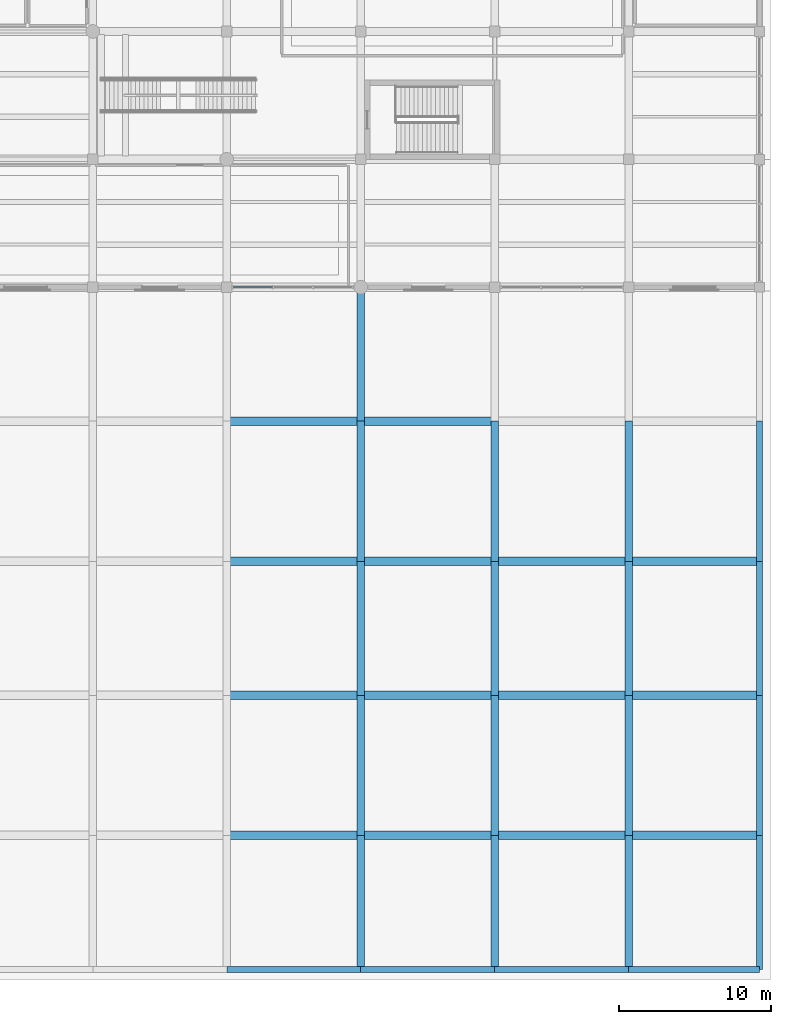
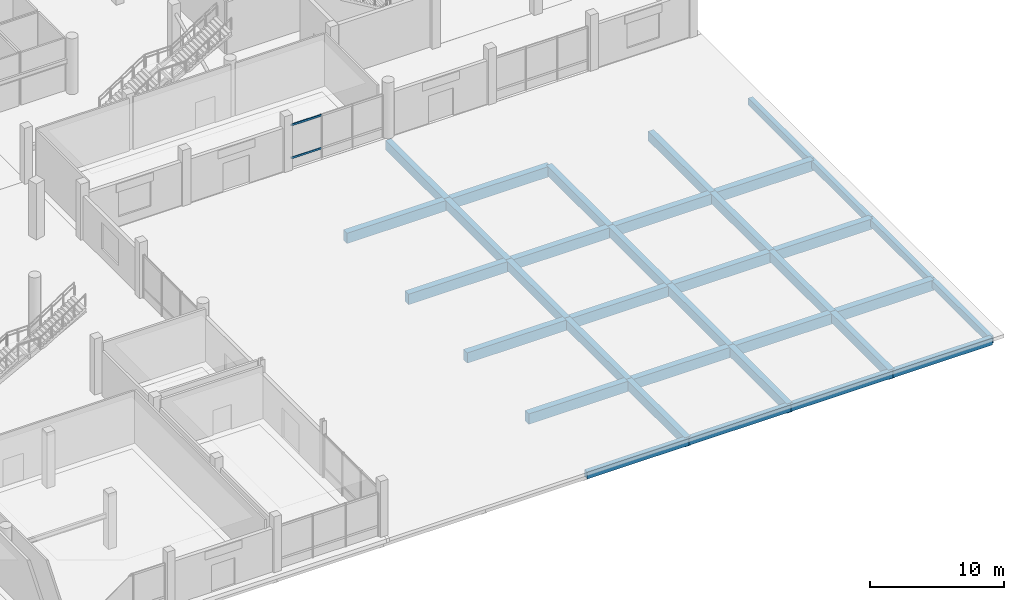
# One storey, part 41 of 73: 35 beams, 2 members, 1 element without a shape of its own.
"""IFC4 building model written with IfcOpenShell, lengths in metres."""

from ifc_helpers import new_model, si_unit, direction, frame, origin, origin_2d, place, context, subcontext, project, spatial, rectangle, hollow_rectangle, extrude, material, layer, layer_set, material_profile, profile_set, type_object, element, aggregate, save


model = new_model("IFC4")

# Units and contexts
model_context = context("Model", 3, precision=1e-05, world=origin(), true_north=direction((0.0, 1.0)))
body_context = subcontext(model_context, "Body", "Model", "MODEL_VIEW")
ifc_project = project(units=[si_unit("LENGTHUNIT", "METRE"), si_unit("AREAUNIT", "SQUARE_METRE"), si_unit("VOLUMEUNIT", "CUBIC_METRE"), si_unit("PLANEANGLEUNIT", "RADIAN"), si_unit("MASSUNIT", "GRAM", prefix="KILO")], contexts=[model_context])

# Site, building, storey
site_placement = place(None, origin())
site = spatial("IfcSite", under=ifc_project, at=site_placement, CompositionType="ELEMENT")
building_placement = place(site_placement, origin())
building = spatial("IfcBuilding", under=site, at=building_placement, Name="Meriwether Solvik Hall", CompositionType="ELEMENT")
storey_placement = place(building_placement, origin())
storey = spatial("IfcBuildingStorey", under=building, at=storey_placement, Name="L00", CompositionType="ELEMENT", Elevation=0.0)

# Beams
ifc_material_1 = material(Name="Concrete C40/50", Category="concrete")
ifc_material_profile_1 = material_profile(ifc_material_1, rectangle(XDim=0.39990234375, YDim=0.64990234375, at=origin_2d()), Name="RCB-400X650")
ifc_profile_set_1 = profile_set([ifc_material_profile_1], Name="Concrete C40/50")
beam_type_1 = type_object("IfcBeamType", Name="BM-RC-400X650", PredefinedType="SPANDREL", material=ifc_profile_set_1)
beam_1_placement = place(storey_placement, frame((131.800048828125, 5.199951171875, -0.68505859375), z_axis=(1.0, 0.0, 0.0), x_axis=(0.0, 1.0, 0.0)))
element("IfcBeam", 1, at=beam_1_placement, inside=storey, type_object=beam_type_1, Name="Podium Girder A:15-16 (L00)", PredefinedType="SPANDREL", context=body_context, shape_type="SweptSolid", body=[
    extrude(rectangle(XDim=0.39990234375, YDim=0.64990234375, at=origin_2d()), origin(), (0.0, 0.0, 1.0), 8.800048828125),
])
beam_2_placement = place(storey_placement, frame((140.60009765625, 5.199951171875, -0.68505859375), z_axis=(1.0, 0.0, 0.0), x_axis=(0.0, 1.0, 0.0)))
element("IfcBeam", 2, at=beam_2_placement, inside=storey, type_object=beam_type_1, Name="Podium Girder A:16-17 (L00)", PredefinedType="SPANDREL", context=body_context, shape_type="SweptSolid", body=[
    extrude(rectangle(XDim=0.39990234375, YDim=0.64990234375, at=origin_2d()), origin(), (0.0, 0.0, 1.0), 8.7998046875),
])
beam_3_placement = place(storey_placement, frame((149.39990234375, 5.199951171875, -0.68505859375), z_axis=(1.0, 0.0, 0.0), x_axis=(0.0, 1.0, 0.0)))
element("IfcBeam", 3, at=beam_3_placement, inside=storey, type_object=beam_type_1, Name="Podium Girder A:17-18 (L00)", PredefinedType="SPANDREL", context=body_context, shape_type="SweptSolid", body=[
    extrude(rectangle(XDim=0.39990234375, YDim=0.64990234375, at=origin_2d()), origin(), (0.0, 0.0, 1.0), 8.800048828125),
])
beam_4_placement = place(storey_placement, frame((158.199951171875, 5.199951171875, -0.68505859375), z_axis=(1.0, 0.0, 0.0), x_axis=(0.0, 1.0, 0.0)))
element("IfcBeam", 4, at=beam_4_placement, inside=storey, type_object=beam_type_1, Name="Podium Girder A:18-19 (L00)", PredefinedType="SPANDREL", context=body_context, shape_type="SweptSolid", body=[
    extrude(rectangle(XDim=0.39990234375, YDim=0.64990234375, at=origin_2d()), origin(), (0.0, 0.0, 1.0), 8.60009765625),
])
beam_5_placement = place(storey_placement, frame((166.800048828125, 5.199951171875, -0.68505859375), z_axis=(0.0, 1.0, 0.0), x_axis=(-1.0, 0.0, 0.0)))
element("IfcBeam", 5, at=beam_5_placement, inside=storey, type_object=beam_type_1, Name="Podium Girder 19:A-B (L00)", PredefinedType="SPANDREL", context=body_context, shape_type="SweptSolid", body=[
    extrude(rectangle(XDim=0.39990234375, YDim=0.64990234375, at=origin_2d()), origin(), (0.0, 0.0, 1.0), 8.800048828125),
])
beam_6_placement = place(storey_placement, frame((166.800048828125, 14.0, -0.68505859375), z_axis=(0.0, 1.0, 0.0), x_axis=(-1.0, 0.0, 0.0)))
element("IfcBeam", 6, at=beam_6_placement, inside=storey, type_object=beam_type_1, Name="Podium Girder 19:B-C (L00)", PredefinedType="SPANDREL", context=body_context, shape_type="SweptSolid", body=[
    extrude(rectangle(XDim=0.39990234375, YDim=0.64990234375, at=origin_2d()), origin(), (0.0, 0.0, 1.0), 9.199951171875),
])
beam_7_placement = place(storey_placement, frame((166.800048828125, 23.199951171875, -0.68505859375), z_axis=(0.0, 1.0, 0.0), x_axis=(-1.0, 0.0, 0.0)))
element("IfcBeam", 7, at=beam_7_placement, inside=storey, type_object=beam_type_1, Name="Podium Girder 19:C-D (L00)", PredefinedType="SPANDREL", context=body_context, shape_type="SweptSolid", body=[
    extrude(rectangle(XDim=0.39990234375, YDim=0.64990234375, at=origin_2d()), origin(), (0.0, 0.0, 1.0), 8.800048828125),
])
beam_8_placement = place(storey_placement, frame((166.800048828125, 32.0, -0.68505859375), z_axis=(0.0, 1.0, 0.0), x_axis=(-1.0, 0.0, 0.0)))
element("IfcBeam", 8, at=beam_8_placement, inside=storey, type_object=beam_type_1, Name="Podium Girder 19:D-E (L00)", PredefinedType="SPANDREL", context=body_context, shape_type="SweptSolid", body=[
    extrude(rectangle(XDim=0.39990234375, YDim=0.64990234375, at=origin_2d()), origin(), (0.0, 0.0, 1.0), 9.199951171875),
])
ifc_material_2 = material(Name="Concrete C40/50", Category="concrete")
ifc_material_profile_2 = material_profile(ifc_material_2, rectangle(XDim=0.5, YDim=0.85009765625, at=origin_2d()), Name="RCB-500X850")
ifc_profile_set_2 = profile_set([ifc_material_profile_2], Name="Concrete C40/50")
beam_type_2 = type_object("IfcBeamType", Name="BM-RC-500X850", PredefinedType="BEAM", material=ifc_profile_set_2)
beam_9_placement = place(storey_placement, frame((140.60009765625, 5.199951171875, -0.784912109375), z_axis=(0.0, 1.0, 0.0), x_axis=(-1.0, 0.0, 0.0)))
element("IfcBeam", 9, at=beam_9_placement, inside=storey, type_object=beam_type_2, Name="Podium Girder 16:A-B (L00)", PredefinedType="BEAM", context=body_context, shape_type="SweptSolid", body=[
    extrude(rectangle(XDim=0.5, YDim=0.85009765625, at=origin_2d()), origin(), (0.0, 0.0, 1.0), 8.800048828125),
])
beam_10_placement = place(storey_placement, frame((140.60009765625, 14.0, -0.784912109375), z_axis=(0.0, 1.0, 0.0), x_axis=(-1.0, 0.0, 0.0)))
element("IfcBeam", 10, at=beam_10_placement, inside=storey, type_object=beam_type_2, Name="Podium Girder 16:B-C (L00)", PredefinedType="BEAM", context=body_context, shape_type="SweptSolid", body=[
    extrude(rectangle(XDim=0.5, YDim=0.85009765625, at=origin_2d()), origin(), (0.0, 0.0, 1.0), 9.199951171875),
])
beam_11_placement = place(storey_placement, frame((140.60009765625, 23.199951171875, -0.784912109375), z_axis=(0.0, 1.0, 0.0), x_axis=(-1.0, 0.0, 0.0)))
element("IfcBeam", 11, at=beam_11_placement, inside=storey, type_object=beam_type_2, Name="Podium Girder 16:C-D (L00)", PredefinedType="BEAM", context=body_context, shape_type="SweptSolid", body=[
    extrude(rectangle(XDim=0.5, YDim=0.85009765625, at=origin_2d()), origin(), (0.0, 0.0, 1.0), 8.800048828125),
])
beam_12_placement = place(storey_placement, frame((140.60009765625, 32.0, -0.784912109375), z_axis=(0.0, 1.0, 0.0), x_axis=(-1.0, 0.0, 0.0)))
element("IfcBeam", 12, at=beam_12_placement, inside=storey, type_object=beam_type_2, Name="Podium Girder 16:D-E (L00)", PredefinedType="BEAM", context=body_context, shape_type="SweptSolid", body=[
    extrude(rectangle(XDim=0.5, YDim=0.85009765625, at=origin_2d()), origin(), (0.0, 0.0, 1.0), 9.199951171875),
])
for number, where, z_axis, x_axis, name in (
    (13, (140.60009765625, 41.199951171875, -0.784912109375), (0.0, 1.0, 0.0), (-1.0, 0.0, 0.0), "Podium Girder 16:E-F (L00)"),
    (14, (149.39990234375, 5.199951171875, -0.784912109375), (0.0, 1.0, 0.0), (-1.0, 0.0, 0.0), "Podium Girder 17:A-B (L00)"),
):
    element("IfcBeam", number, at=place(storey_placement, frame(where, z_axis=z_axis, x_axis=x_axis)), inside=storey, type_object=beam_type_2, Name=name, PredefinedType="BEAM", context=body_context, shape_type="SweptSolid", body=[
        extrude(rectangle(XDim=0.5, YDim=0.85009765625, at=origin_2d()), origin(), (0.0, 0.0, 1.0), 8.800048828125),
    ])
beam_13_placement = place(storey_placement, frame((149.39990234375, 14.0, -0.784912109375), z_axis=(0.0, 1.0, 0.0), x_axis=(-1.0, 0.0, 0.0)))
element("IfcBeam", 15, at=beam_13_placement, inside=storey, type_object=beam_type_2, Name="Podium Girder 17:B-C (L00)", PredefinedType="BEAM", context=body_context, shape_type="SweptSolid", body=[
    extrude(rectangle(XDim=0.5, YDim=0.85009765625, at=origin_2d()), origin(), (0.0, 0.0, 1.0), 9.199951171875),
])
beam_14_placement = place(storey_placement, frame((149.39990234375, 23.199951171875, -0.784912109375), z_axis=(0.0, 1.0, 0.0), x_axis=(-1.0, 0.0, 0.0)))
element("IfcBeam", 16, at=beam_14_placement, inside=storey, type_object=beam_type_2, Name="Podium Girder 17:C-D (L00)", PredefinedType="BEAM", context=body_context, shape_type="SweptSolid", body=[
    extrude(rectangle(XDim=0.5, YDim=0.85009765625, at=origin_2d()), origin(), (0.0, 0.0, 1.0), 8.800048828125),
])
beam_15_placement = place(storey_placement, frame((149.39990234375, 32.0, -0.784912109375), z_axis=(0.0, 1.0, 0.0), x_axis=(-1.0, 0.0, 0.0)))
element("IfcBeam", 17, at=beam_15_placement, inside=storey, type_object=beam_type_2, Name="Podium Girder 17:D-E (L00)", PredefinedType="BEAM", context=body_context, shape_type="SweptSolid", body=[
    extrude(rectangle(XDim=0.5, YDim=0.85009765625, at=origin_2d()), origin(), (0.0, 0.0, 1.0), 9.199951171875),
])
beam_16_placement = place(storey_placement, frame((158.199951171875, 5.199951171875, -0.784912109375), z_axis=(0.0, 1.0, 0.0), x_axis=(-1.0, 0.0, 0.0)))
element("IfcBeam", 18, at=beam_16_placement, inside=storey, type_object=beam_type_2, Name="Podium Girder 18:A-B (L00)", PredefinedType="BEAM", context=body_context, shape_type="SweptSolid", body=[
    extrude(rectangle(XDim=0.5, YDim=0.85009765625, at=origin_2d()), origin(), (0.0, 0.0, 1.0), 8.800048828125),
])
beam_17_placement = place(storey_placement, frame((158.199951171875, 14.0, -0.784912109375), z_axis=(0.0, 1.0, 0.0), x_axis=(-1.0, 0.0, 0.0)))
element("IfcBeam", 19, at=beam_17_placement, inside=storey, type_object=beam_type_2, Name="Podium Girder 18:B-C (L00)", PredefinedType="BEAM", context=body_context, shape_type="SweptSolid", body=[
    extrude(rectangle(XDim=0.5, YDim=0.85009765625, at=origin_2d()), origin(), (0.0, 0.0, 1.0), 9.199951171875),
])
beam_18_placement = place(storey_placement, frame((158.199951171875, 23.199951171875, -0.784912109375), z_axis=(0.0, 1.0, 0.0), x_axis=(-1.0, 0.0, 0.0)))
element("IfcBeam", 20, at=beam_18_placement, inside=storey, type_object=beam_type_2, Name="Podium Girder 18:C-D (L00)", PredefinedType="BEAM", context=body_context, shape_type="SweptSolid", body=[
    extrude(rectangle(XDim=0.5, YDim=0.85009765625, at=origin_2d()), origin(), (0.0, 0.0, 1.0), 8.800048828125),
])
beam_19_placement = place(storey_placement, frame((158.199951171875, 32.0, -0.784912109375), z_axis=(0.0, 1.0, 0.0), x_axis=(-1.0, 0.0, 0.0)))
element("IfcBeam", 21, at=beam_19_placement, inside=storey, type_object=beam_type_2, Name="Podium Girder 18:D-E (L00)", PredefinedType="BEAM", context=body_context, shape_type="SweptSolid", body=[
    extrude(rectangle(XDim=0.5, YDim=0.85009765625, at=origin_2d()), origin(), (0.0, 0.0, 1.0), 9.199951171875),
])
ifc_material_3 = material(Name="Concrete C40/50", Category="concrete")
ifc_material_profile_3 = material_profile(ifc_material_3, rectangle(XDim=0.550048828125, YDim=0.949951171875, at=origin_2d()), Name="RCB-550X950")
ifc_profile_set_3 = profile_set([ifc_material_profile_3], Name="Concrete C40/50")
beam_type_3 = type_object("IfcBeamType", Name="BM-RC-550X950", PredefinedType="BEAM", material=ifc_profile_set_3)
beam_20_placement = place(storey_placement, frame((131.800048828125, 14.0, -0.8349609375), z_axis=(1.0, 0.0, 0.0), x_axis=(0.0, 1.0, 0.0)))
element("IfcBeam", 22, at=beam_20_placement, inside=storey, type_object=beam_type_3, Name="Podium Girder B:15-16 (L00)", PredefinedType="BEAM", context=body_context, shape_type="SweptSolid", body=[
    extrude(rectangle(XDim=0.550048828125, YDim=0.949951171875, at=origin_2d()), origin(), (0.0, 0.0, 1.0), 8.800048828125),
])
beam_21_placement = place(storey_placement, frame((140.60009765625, 14.0, -0.8349609375), z_axis=(1.0, 0.0, 0.0), x_axis=(0.0, 1.0, 0.0)))
element("IfcBeam", 23, at=beam_21_placement, inside=storey, type_object=beam_type_3, Name="Podium Girder B:16-17 (L00)", PredefinedType="BEAM", context=body_context, shape_type="SweptSolid", body=[
    extrude(rectangle(XDim=0.550048828125, YDim=0.949951171875, at=origin_2d()), origin(), (0.0, 0.0, 1.0), 8.7998046875),
])
beam_22_placement = place(storey_placement, frame((149.39990234375, 14.0, -0.8349609375), z_axis=(1.0, 0.0, 0.0), x_axis=(0.0, 1.0, 0.0)))
element("IfcBeam", 24, at=beam_22_placement, inside=storey, type_object=beam_type_3, Name="Podium Girder B:17-18 (L00)", PredefinedType="BEAM", context=body_context, shape_type="SweptSolid", body=[
    extrude(rectangle(XDim=0.550048828125, YDim=0.949951171875, at=origin_2d()), origin(), (0.0, 0.0, 1.0), 8.800048828125),
])
beam_23_placement = place(storey_placement, frame((158.199951171875, 14.0, -0.8349609375), z_axis=(1.0, 0.0, 0.0), x_axis=(0.0, 1.0, 0.0)))
element("IfcBeam", 25, at=beam_23_placement, inside=storey, type_object=beam_type_3, Name="Podium Girder B:18-19 (L00)", PredefinedType="BEAM", context=body_context, shape_type="SweptSolid", body=[
    extrude(rectangle(XDim=0.550048828125, YDim=0.949951171875, at=origin_2d()), origin(), (0.0, 0.0, 1.0), 8.60009765625),
])
beam_24_placement = place(storey_placement, frame((131.800048828125, 23.199951171875, -0.8349609375), z_axis=(1.0, 0.0, 0.0), x_axis=(0.0, 1.0, 0.0)))
element("IfcBeam", 26, at=beam_24_placement, inside=storey, type_object=beam_type_3, Name="Podium Girder C:15-16 (L00)", PredefinedType="BEAM", context=body_context, shape_type="SweptSolid", body=[
    extrude(rectangle(XDim=0.550048828125, YDim=0.949951171875, at=origin_2d()), origin(), (0.0, 0.0, 1.0), 8.800048828125),
])
beam_25_placement = place(storey_placement, frame((140.60009765625, 23.199951171875, -0.8349609375), z_axis=(1.0, 0.0, 0.0), x_axis=(0.0, 1.0, 0.0)))
element("IfcBeam", 27, at=beam_25_placement, inside=storey, type_object=beam_type_3, Name="Podium Girder C:16-17 (L00)", PredefinedType="BEAM", context=body_context, shape_type="SweptSolid", body=[
    extrude(rectangle(XDim=0.550048828125, YDim=0.949951171875, at=origin_2d()), origin(), (0.0, 0.0, 1.0), 8.7998046875),
])
beam_26_placement = place(storey_placement, frame((149.39990234375, 23.199951171875, -0.8349609375), z_axis=(1.0, 0.0, 0.0), x_axis=(0.0, 1.0, 0.0)))
element("IfcBeam", 28, at=beam_26_placement, inside=storey, type_object=beam_type_3, Name="Podium Girder C:17-18 (L00)", PredefinedType="BEAM", context=body_context, shape_type="SweptSolid", body=[
    extrude(rectangle(XDim=0.550048828125, YDim=0.949951171875, at=origin_2d()), origin(), (0.0, 0.0, 1.0), 8.800048828125),
])
beam_27_placement = place(storey_placement, frame((158.199951171875, 23.199951171875, -0.8349609375), z_axis=(1.0, 0.0, 0.0), x_axis=(0.0, 1.0, 0.0)))
element("IfcBeam", 29, at=beam_27_placement, inside=storey, type_object=beam_type_3, Name="Podium Girder C:18-19 (L00)", PredefinedType="BEAM", context=body_context, shape_type="SweptSolid", body=[
    extrude(rectangle(XDim=0.550048828125, YDim=0.949951171875, at=origin_2d()), origin(), (0.0, 0.0, 1.0), 8.60009765625),
])
beam_28_placement = place(storey_placement, frame((131.800048828125, 32.0, -0.8349609375), z_axis=(1.0, 0.0, 0.0), x_axis=(0.0, 1.0, 0.0)))
element("IfcBeam", 30, at=beam_28_placement, inside=storey, type_object=beam_type_3, Name="Podium Girder D:15-16 (L00)", PredefinedType="BEAM", context=body_context, shape_type="SweptSolid", body=[
    extrude(rectangle(XDim=0.550048828125, YDim=0.949951171875, at=origin_2d()), origin(), (0.0, 0.0, 1.0), 8.800048828125),
])
beam_29_placement = place(storey_placement, frame((140.60009765625, 32.0, -0.8349609375), z_axis=(1.0, 0.0, 0.0), x_axis=(0.0, 1.0, 0.0)))
element("IfcBeam", 31, at=beam_29_placement, inside=storey, type_object=beam_type_3, Name="Podium Girder D:16-17 (L00)", PredefinedType="BEAM", context=body_context, shape_type="SweptSolid", body=[
    extrude(rectangle(XDim=0.550048828125, YDim=0.949951171875, at=origin_2d()), origin(), (0.0, 0.0, 1.0), 8.7998046875),
])
beam_30_placement = place(storey_placement, frame((149.39990234375, 32.0, -0.8349609375), z_axis=(1.0, 0.0, 0.0), x_axis=(0.0, 1.0, 0.0)))
element("IfcBeam", 32, at=beam_30_placement, inside=storey, type_object=beam_type_3, Name="Podium Girder D:17-18 (L00)", PredefinedType="BEAM", context=body_context, shape_type="SweptSolid", body=[
    extrude(rectangle(XDim=0.550048828125, YDim=0.949951171875, at=origin_2d()), origin(), (0.0, 0.0, 1.0), 8.800048828125),
])
beam_31_placement = place(storey_placement, frame((158.199951171875, 32.0, -0.8349609375), z_axis=(1.0, 0.0, 0.0), x_axis=(0.0, 1.0, 0.0)))
element("IfcBeam", 33, at=beam_31_placement, inside=storey, type_object=beam_type_3, Name="Podium Girder D:18-19 (L00)", PredefinedType="BEAM", context=body_context, shape_type="SweptSolid", body=[
    extrude(rectangle(XDim=0.550048828125, YDim=0.949951171875, at=origin_2d()), origin(), (0.0, 0.0, 1.0), 8.60009765625),
])
beam_32_placement = place(storey_placement, frame((131.800048828125, 41.199951171875, -0.8349609375), z_axis=(1.0, 0.0, 0.0), x_axis=(0.0, 1.0, 0.0)))
element("IfcBeam", 34, at=beam_32_placement, inside=storey, type_object=beam_type_3, Name="Podium Girder E:15-16 (L00)", PredefinedType="BEAM", context=body_context, shape_type="SweptSolid", body=[
    extrude(rectangle(XDim=0.550048828125, YDim=0.949951171875, at=origin_2d()), origin(), (0.0, 0.0, 1.0), 8.800048828125),
])
beam_33_placement = place(storey_placement, frame((140.60009765625, 41.199951171875, -0.8349609375), z_axis=(1.0, 0.0, 0.0), x_axis=(0.0, 1.0, 0.0)))
element("IfcBeam", 35, at=beam_33_placement, inside=storey, type_object=beam_type_3, Name="Podium Girder E:16-17 (L00)", PredefinedType="BEAM", context=body_context, shape_type="SweptSolid", body=[
    extrude(rectangle(XDim=0.550048828125, YDim=0.949951171875, at=origin_2d()), origin(), (0.0, 0.0, 1.0), 8.7998046875),
])

# Curtain wall, members
ifc_material_4 = material(Name="Thermally Broken Anodised Aluminium 6063-T6 and Low-E Glass", Category="aluminium")
ifc_layer = layer(ifc_material_4, 0.179931640625)
ifc_layer_set = layer_set([ifc_layer], Name="Thermally Broken Anodised Aluminium 6063-T6 and Low-E Glass")
curtain_wall_type = type_object("IfcCurtainWallType", Name="CW-SF-POD-A", PredefinedType="USERDEFINED", material=ifc_layer_set)
curtain_wall_placement = place(storey_placement, origin())
curtain_wall = element("IfcCurtainWall", 36, at=curtain_wall_placement, inside=storey, type_object=curtain_wall_type, Name="Curtain Wall wing_XF_15_14 (L00)", ObjectType="STICK STOREFRONT GLAZING", PredefinedType="USERDEFINED")
ifc_material_5 = material(Name="Anodised Aluminium 6063-T6", Category="aluminium")
ifc_material_profile_4 = material_profile(ifc_material_5, hollow_rectangle(XDim=0.074951171875, YDim=0.169921875, WallThickness=0.005615234375, at=origin_2d()), Name="CWT-75X170")
ifc_profile_set_4 = profile_set([ifc_material_profile_4], Name="Anodised Aluminium 6063-T6")
member_type = type_object("IfcMemberType", Name="CW-TRN-75X170", PredefinedType="USERDEFINED", material=ifc_profile_set_4)
member_1_placement = place(storey_placement, frame((134.820556640625, 50.0, 0.8798828125), z_axis=(-1.0, 0.0, 0.0), x_axis=(0.0, -1.0, 0.0)))
member_1 = element("IfcMember", 37, at=member_1_placement, type_object=member_type, Name="Curtain Wall Transom 3-sill", ObjectType="TRANSOM", PredefinedType="USERDEFINED", context=body_context, shape_type="SweptSolid", body=[
    extrude(hollow_rectangle(XDim=0.074951171875, YDim=0.169921875, WallThickness=0.005615234375, at=origin_2d()), origin(), (0.0, 0.0, 1.0), 2.62060546875),
])
member_2_placement = place(storey_placement, frame((134.820556640625, 50.0, 3.8798828125), z_axis=(-1.0, 0.0, 0.0), x_axis=(0.0, -1.0, 0.0)))
member_2 = element("IfcMember", 38, at=member_2_placement, type_object=member_type, Name="Curtain Wall Transom 3-head", ObjectType="TRANSOM", PredefinedType="USERDEFINED", context=body_context, shape_type="SweptSolid", body=[
    extrude(hollow_rectangle(XDim=0.074951171875, YDim=0.169921875, WallThickness=0.005615234375, at=origin_2d()), origin(), (0.0, 0.0, 1.0), 2.62060546875),
])
aggregate(curtain_wall, [member_1, member_2])

save(model, "model.ifc")
